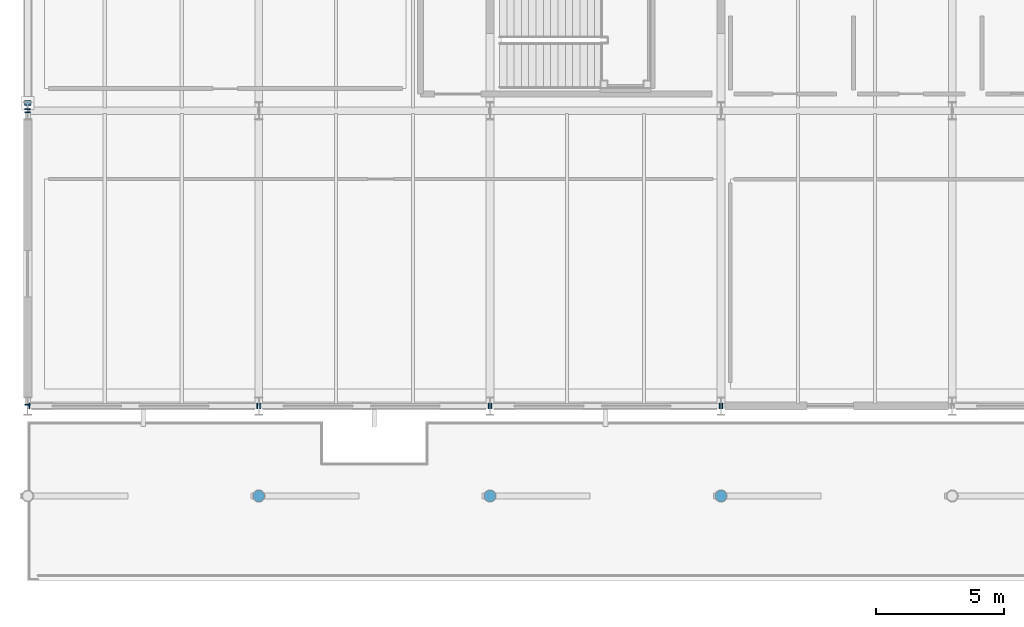
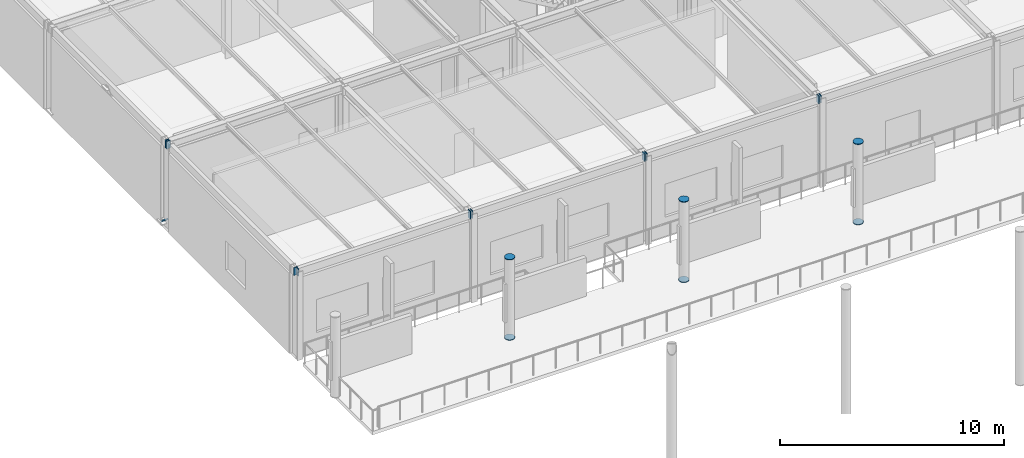
# One storey, part 97 of 143: 17 discrete accessories.
"""IFC4 building model written with IfcOpenShell, lengths in metres."""

from ifc_helpers import new_model, si_unit, direction, frame, origin, origin_2d, place, context, subcontext, project, spatial, rectangle, circle, extrude, material, element, save


model = new_model("IFC4")

# Units and contexts
model_context = context("Model", 3, precision=1e-05, world=origin(), true_north=direction((0.0, 1.0)))
body_context = subcontext(model_context, "Body", "Model", "MODEL_VIEW")
ifc_project = project(units=[si_unit("LENGTHUNIT", "METRE"), si_unit("AREAUNIT", "SQUARE_METRE"), si_unit("VOLUMEUNIT", "CUBIC_METRE"), si_unit("PLANEANGLEUNIT", "RADIAN"), si_unit("MASSUNIT", "GRAM", prefix="KILO")], contexts=[model_context])

# Site, building, storey
site_placement = place(None, origin())
site = spatial("IfcSite", under=ifc_project, at=site_placement, CompositionType="ELEMENT")
building_placement = place(site_placement, origin())
building = spatial("IfcBuilding", under=site, at=building_placement, Name="Marlcrest Central Station", CompositionType="ELEMENT")
storey_placement = place(building_placement, frame((0.0, 0.0, 4.800048828125)))
storey = spatial("IfcBuildingStorey", under=building, at=storey_placement, Name="L01", CompositionType="ELEMENT", Elevation=4.800048828125)

# Discrete accessories
ifc_material = material(Name="Steel S355", Category="steel")
for number, where, z_axis, x_axis, name in (
    (1, (0.03515625, 99.0, 4.619873046875), (1.0, 0.0, 0.0), (0.0, 1.0, 0.0), "endcap-bm-SP-01-L01-00228-s"),
    (2, (8.925048828125, 99.0, 4.619873046875), (1.0, 0.0, 0.0), (0.0, 1.0, 0.0), "endcap-bm-SP-01-L01-00228-e"),
    (3, (9.03515625, 99.0, 4.619873046875), (1.0, 0.0, 0.0), (0.0, 1.0, 0.0), "endcap-bm-SP-01-L01-00229-s"),
    (4, (17.925048828125, 99.0, 4.619873046875), (1.0, 0.0, 0.0), (0.0, 1.0, 0.0), "endcap-bm-SP-01-L01-00229-e"),
    (5, (18.03515625, 99.0, 4.619873046875), (1.0, 0.0, 0.0), (0.0, 1.0, 0.0), "endcap-bm-SP-01-L01-00230-s"),
    (6, (26.925048828125, 99.0, 4.619873046875), (1.0, 0.0, 0.0), (0.0, 1.0, 0.0), "endcap-bm-SP-01-L01-00230-e"),
    (7, (27.03515625, 99.0, 4.619873046875), (1.0, 0.0, 0.0), (0.0, 1.0, 0.0), "endcap-bm-SP-01-L01-00231-s"),
    (8, (0.0, 99.03515625, 4.619873046875), (0.0, 1.0, 0.0), (-1.0, 0.0, 0.0), "endcap-bm-SP-01-L01-00264-s"),
    (9, (0.0, 110.425048828125, 4.619873046875), (0.0, 1.0, 0.0), (-1.0, 0.0, 0.0), "endcap-bm-SP-01-L01-00264-e"),
    (10, (0.0, 110.53515625, 4.619873046875), (0.0, 1.0, 0.0), (-1.0, 0.0, 0.0), "endcap-bm-SP-01-L01-00265-s"),
):
    element("IfcDiscreteAccessory", number, at=place(storey_placement, frame(where, z_axis=z_axis, x_axis=x_axis)), inside=storey, material=ifc_material, Name=name, ObjectType="END_CAP_PLATE", PredefinedType="BRACKET", context=body_context, shape_type="SweptSolid", body=[
        extrude(rectangle(XDim=0.216064453125, YDim=0.416015625, at=origin_2d()), origin(), (0.0, 0.0, 1.0), 0.0400390625),
    ])
discrete_accessory_placement = place(storey_placement, frame((0.0, 110.788818359375, 0.240234375), z_axis=(0.0, 0.753416289705, 0.65754383459), x_axis=(-1.0, 0.0, 0.0)))
element("IfcDiscreteAccessory", 11, at=discrete_accessory_placement, inside=storey, material=ifc_material, Name="endcap-mem-BF-02-L01-00003-s", ObjectType="END_CAP_PLATE", PredefinedType="BRACKET", context=body_context, shape_type="SweptSolid", body=[
    extrude(rectangle(XDim=0.26611328125, YDim=0.26611328125, at=origin_2d()), origin(), (0.0, 0.0, 1.0), 0.0400390625),
])
for number, where, z_axis, x_axis, name in (
    (12, (9.0, 95.5, -0.014892578125), (0.0, 0.0, 1.0), (1.0, 0.0, 0.0), "endcap-col-SC-11-L01-0431-s"),
    (13, (9.0, 95.5, 4.375), (0.0, 0.0, 1.0), (1.0, 0.0, 0.0), "endcap-col-SC-11-L01-0431-e"),
    (14, (18.0, 95.5, -0.014892578125), (0.0, 0.0, 1.0), (1.0, 0.0, 0.0), "endcap-col-SC-11-L01-0441-s"),
    (15, (18.0, 95.5, 4.375), (0.0, 0.0, 1.0), (1.0, 0.0, 0.0), "endcap-col-SC-11-L01-0441-e"),
    (16, (27.0, 95.5, -0.014892578125), (0.0, 0.0, 1.0), (1.0, 0.0, 0.0), "endcap-col-SC-11-L01-0451-s"),
    (17, (27.0, 95.5, 4.375), (0.0, 0.0, 1.0), (1.0, 0.0, 0.0), "endcap-col-SC-11-L01-0451-e"),
):
    element("IfcDiscreteAccessory", number, at=place(storey_placement, frame(where, z_axis=z_axis, x_axis=x_axis)), inside=storey, material=ifc_material, Name=name, ObjectType="END_CAP_PLATE", PredefinedType="BRACKET", context=body_context, shape_type="SweptSolid", body=[
        extrude(circle(Radius=0.236572265625, at=origin_2d()), origin(), (0.0, 0.0, 1.0), 0.0400390625),
    ])

save(model, "model.ifc")
